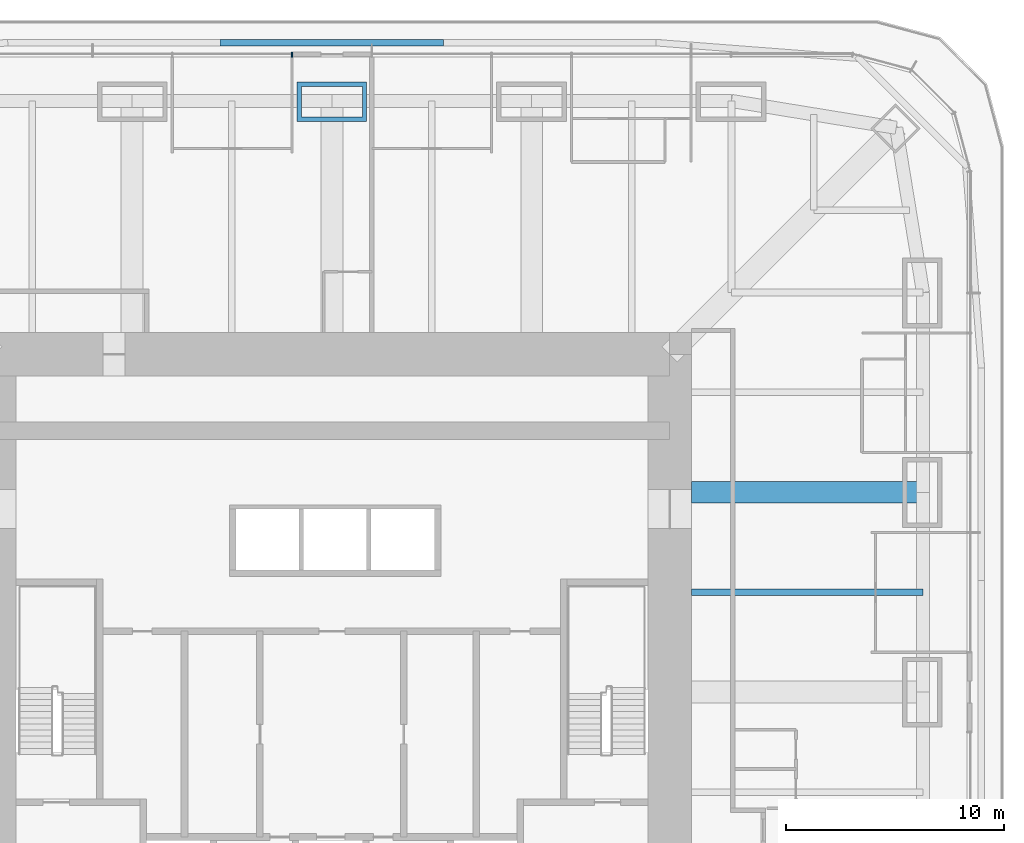
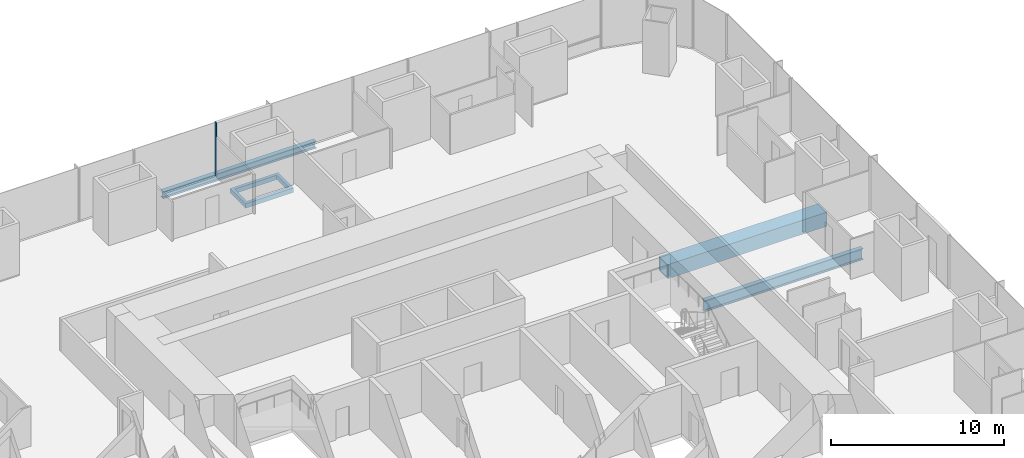
# One storey, part 7 of 16: 3 members, 2 beams, 1 element without a shape of its own.
"""IFC4 building model written with IfcOpenShell, lengths in metres."""

from ifc_helpers import new_model, si_unit, direction, frame, origin, origin_2d, place, context, subcontext, project, spatial, rectangle, hollow_rectangle, i_section, extrude, material, material_profile, profile_set, type_object, element, aggregate, save


model = new_model("IFC4")

# Units and contexts
model_context = context("Model", 3, precision=1e-05, world=origin(), true_north=direction((0.0, 1.0)))
body_context = subcontext(model_context, "Body", "Model", "MODEL_VIEW")
ifc_project = project(units=[si_unit("LENGTHUNIT", "METRE"), si_unit("AREAUNIT", "SQUARE_METRE"), si_unit("VOLUMEUNIT", "CUBIC_METRE"), si_unit("PLANEANGLEUNIT", "RADIAN"), si_unit("MASSUNIT", "GRAM", prefix="KILO")], contexts=[model_context])

# Site, building, storey
site_placement = place(None, origin())
site = spatial("IfcSite", under=ifc_project, at=site_placement, CompositionType="ELEMENT")
building_placement = place(site_placement, origin())
building = spatial("IfcBuilding", under=site, at=building_placement, Name="Khuree Lantern Residences", CompositionType="ELEMENT")
storey_placement = place(building_placement, frame((0.0, 0.0, 107.25)))
storey = spatial("IfcBuildingStorey", under=building, at=storey_placement, Name="L26", CompositionType="ELEMENT", Elevation=107.25)

# Beam
ifc_material_1 = material(Name="Steel S355", Category="steel")
ifc_material_profile_1 = material_profile(ifc_material_1, i_section(OverallWidth=0.300048828125, OverallDepth=0.7900390625, WebThickness=0.014892578125, FlangeThickness=0.028076171875, FilletRadius=0.030029296875, at=origin_2d()), Name="HE 800 A")
ifc_profile_set_1 = profile_set([ifc_material_profile_1], Name="Steel S355")
beam_type_1 = type_object("IfcBeamType", Name="B-21 SECONDARY BEAM HE 800 A", PredefinedType="BEAM", material=ifc_profile_set_1)
beam_1_placement = place(storey_placement, frame((27.1337890625, 4.585205078125, -0.64501953125), z_axis=(-1.0, 0.0, 0.0), x_axis=(0.0, -1.0, 0.0)))
element("IfcBeam", 1, at=beam_1_placement, inside=storey, type_object=beam_type_1, Name="Secondary beam E3", PredefinedType="BEAM", context=body_context, shape_type="SweptSolid", body=[
    extrude(i_section(OverallWidth=0.300048828125, OverallDepth=0.7900390625, WebThickness=0.014892578125, FlangeThickness=0.028076171875, FilletRadius=0.030029296875, at=origin_2d()), origin(), (0.0, 0.0, 1.0), 10.6337890625),
])

# Curtain wall, member
ifc_material_2 = material(Name="Bronze anodised aluminium", Category="aluminium")
curtain_wall_type = type_object("IfcCurtainWallType", Name="CW-T1 TOWER FACE CURTAIN WALL", PredefinedType="USERDEFINED", material=ifc_material_2)
curtain_wall_placement = place(storey_placement, origin())
curtain_wall = element("IfcCurtainWall", 2, at=curtain_wall_placement, inside=storey, type_object=curtain_wall_type, Name="L26 NORTH FACE CURTAIN WALL", ObjectType="Stick-built curtain wall", PredefinedType="USERDEFINED")
ifc_material_profile_2 = material_profile(ifc_material_2, rectangle(XDim=0.06494140625, YDim=0.219970703125, at=origin_2d()), Name="M1 65X220")
ifc_profile_set_2 = profile_set([ifc_material_profile_2], Name="Bronze anodised aluminium")
member_type_1 = type_object("IfcMemberType", Name="M1 BRONZE MULLION TOWER 65X220", PredefinedType="MULLION", material=ifc_profile_set_2)
member_1_placement = place(storey_placement, frame((-1.83203125, 29.260009765625, 0.0), z_axis=(0.0, 0.0, 1.0), x_axis=(-1.0, 0.0, 0.0)))
member_1 = element("IfcMember", 3, at=member_1_placement, type_object=member_type_1, Name="L26 NORTH FACE MULLION 24", PredefinedType="MULLION", context=body_context, shape_type="SweptSolid", body=[
    extrude(rectangle(XDim=0.06494140625, YDim=0.219970703125, at=origin_2d()), origin(), (0.0, 0.0, 1.0), 3.75),
])
aggregate(curtain_wall, [member_1])

# Members
ifc_material_3 = material(Name="Steel S355 CFT welded box", Category="steel")
ifc_material_profile_3 = material_profile(ifc_material_3, hollow_rectangle(XDim=3.199951171875, YDim=1.800048828125, WallThickness=0.199951171875, at=origin_2d()), Name="WELDED BOX 3200X1800X200")
ifc_profile_set_3 = profile_set([ifc_material_profile_3], Name="Steel S355 CFT welded box")
member_type_2 = type_object("IfcMemberType", Name="MN MEGA COLUMN NODE WELDED BOX 3200X1800X200", PredefinedType="MEMBER", material=ifc_profile_set_3)
member_2_placement = place(storey_placement, frame((0.0, 27.10009765625, -0.550048828125), z_axis=(0.0, 0.0, 1.0), x_axis=(1.0, 0.0, 0.0)))
element("IfcMember", 4, at=member_2_placement, inside=storey, type_object=member_type_2, Name="Mega column node N3", PredefinedType="MEMBER", context=body_context, shape_type="SweptSolid", body=[
    extrude(hollow_rectangle(XDim=3.199951171875, YDim=1.800048828125, WallThickness=0.199951171875, at=origin_2d()), origin(), (0.0, 0.0, 1.0), 0.320068359375),
])
ifc_material_profile_4 = material_profile(ifc_material_1, hollow_rectangle(XDim=1.0, YDim=1.0, WallThickness=0.080078125, at=origin_2d()), Name="WELDED BOX 1000X1000X80")
ifc_profile_set_4 = profile_set([ifc_material_profile_4], Name="Steel S355")
member_type_3 = type_object("IfcMemberType", Name="OT-26 OUTRIGGER TRUSS CHORD WELDED BOX 1000X1000X80", PredefinedType="CHORD", material=ifc_profile_set_4)
member_3_placement = place(storey_placement, frame((27.135498046875, 9.171142578125, -0.75), z_axis=(-1.0, 0.0, 0.0), x_axis=(0.0, -1.0, 0.0)))
element("IfcMember", 5, at=member_3_placement, inside=storey, type_object=member_type_3, Name="Outrigger chord E2", PredefinedType="CHORD", context=body_context, shape_type="SweptSolid", body=[
    extrude(hollow_rectangle(XDim=1.0, YDim=1.0, WallThickness=0.080078125, at=origin_2d()), origin(), (0.0, 0.0, 1.0), 10.635498046875),
])

# Beam
ifc_material_profile_5 = material_profile(ifc_material_1, i_section(OverallWidth=0.300048828125, OverallDepth=0.5, WebThickness=0.014404296875, FlangeThickness=0.028076171875, FilletRadius=0.027099609375, at=origin_2d()), Name="HE 500 B")
ifc_profile_set_5 = profile_set([ifc_material_profile_5], Name="Steel S355")
beam_type_2 = type_object("IfcBeamType", Name="TB1 TERRACE EDGE BEAM HE 500 B", PredefinedType="BEAM", material=ifc_profile_set_5)
beam_2_placement = place(storey_placement, frame((-5.125, 29.800048828125, -0.5), z_axis=(1.0, 0.0, 0.0), x_axis=(0.0, 1.0, 0.0)))
element("IfcBeam", 6, at=beam_2_placement, inside=storey, type_object=beam_type_2, Name="Terrace edge beam N2", PredefinedType="BEAM", context=body_context, shape_type="SweptSolid", body=[
    extrude(i_section(OverallWidth=0.300048828125, OverallDepth=0.5, WebThickness=0.014404296875, FlangeThickness=0.028076171875, FilletRadius=0.027099609375, at=origin_2d()), origin(), (0.0, 0.0, 1.0), 10.25),
])

save(model, "model.ifc")
